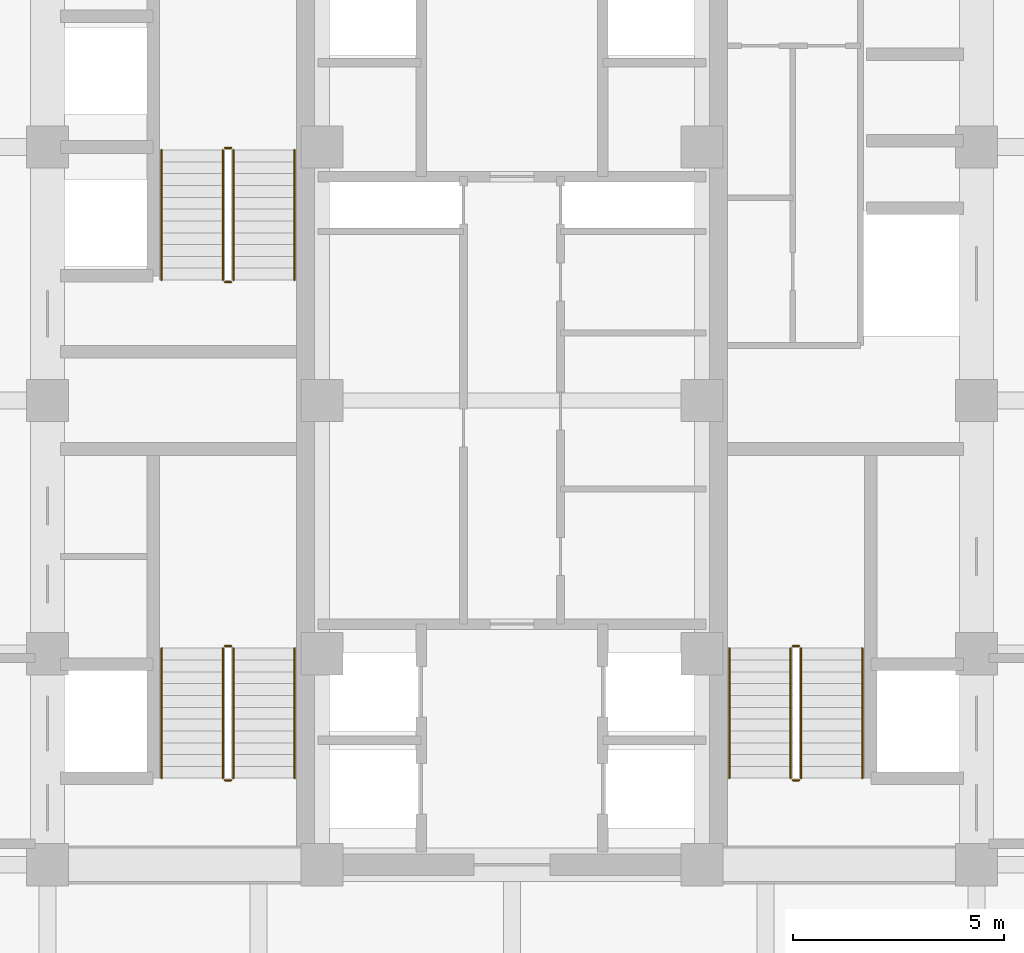
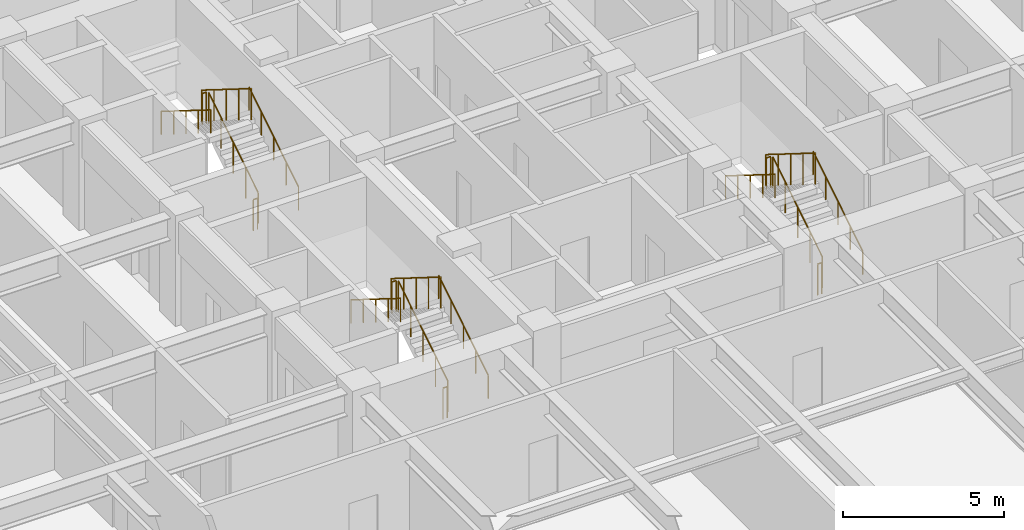
# One storey, part 27 of 27: 18 railings.
"""IFC4 building model written with IfcOpenShell, lengths in metres."""

from ifc_helpers import new_model, si_unit, direction, frame, origin, origin_2d, place, context, subcontext, project, spatial, circle, extrude, source, transform, mapped, material, type_object, element, save


model = new_model("IFC4")

# Units and contexts
model_context = context("Model", 3, precision=1e-05, world=origin(), true_north=direction((0.0, 1.0)))
body_context = subcontext(model_context, "Body", "Model", "MODEL_VIEW")
ifc_project = project(units=[si_unit("LENGTHUNIT", "METRE"), si_unit("AREAUNIT", "SQUARE_METRE"), si_unit("VOLUMEUNIT", "CUBIC_METRE"), si_unit("PLANEANGLEUNIT", "RADIAN"), si_unit("MASSUNIT", "GRAM", prefix="KILO")], contexts=[model_context])

# Site, building, storey
site_placement = place(None, origin())
site = spatial("IfcSite", under=ifc_project, at=site_placement, CompositionType="ELEMENT")
building_placement = place(site_placement, origin())
building = spatial("IfcBuilding", under=site, at=building_placement, Name="Khorayat Bourse Tower", CompositionType="ELEMENT")
storey_placement = place(building_placement, frame((0.0, 0.0, 53.60009765625)))
storey = spatial("IfcBuildingStorey", under=building, at=storey_placement, Name="L11", CompositionType="ELEMENT", Elevation=53.60009765625)

# Railings
ifc_material_1 = material(Name="Powder-coated steel balustrade", Category="steel")
railing_type_1 = type_object("IfcRailingType", Name="RLG-GUARD-1200", PredefinedType="GUARDRAIL", material=ifc_material_1)
shared_shape_1 = source(origin(), body_context, "Body", "SweptSolid", [
    extrude(circle(Radius=0.02392578125, at=origin_2d()), frame((0.0, 0.0, 1.17578125), z_axis=(-1.0, 0.0, 0.0), x_axis=(0.0, -1.0, 0.0)), (0.0, 0.0, 1.0), 0.150146484375),
    extrude(circle(Radius=0.02099609375, at=origin_2d()), origin(), (0.0, 0.0, 1.0), 1.15185546875),
    extrude(circle(Radius=0.02099609375, at=origin_2d()), frame((-0.150146484375, 0.0, 0.0)), (0.0, 0.0, 1.0), 1.15185546875),
])
for number, where, name in (
    (1, (-6.64990234375, -5.820068359375, 2.099853515625), "L11 ST-1 stair guard 2"),
    (2, (-6.64990234375, -9.0, 0.0), "L11 ST-1 stair guard 4"),
    (3, (-6.64990234375, 5.97998046875, 2.099853515625), "L11 ST-2 stair guard 2"),
    (4, (-6.64990234375, 2.800048828125, 0.0), "L11 ST-2 stair guard 4"),
    (5, (6.800048828125, -5.820068359375, 2.099853515625), "L11 ST-3 stair guard 2"),
    (6, (6.800048828125, -9.0, 0.0), "L11 ST-3 stair guard 4"),
):
    element("IfcRailing", number, at=place(storey_placement, frame(where)), inside=storey, type_object=railing_type_1, Name=name, PredefinedType="GUARDRAIL", context=body_context, shape_type="MappedRepresentation", body=[
        mapped(shared_shape_1, transform((0.0, 0.0, 0.0), scale=1.0)),
    ])
shared_shape_2 = source(origin(), body_context, "Body", "SweptSolid", [
    extrude(circle(Radius=0.02392578125, at=origin_2d()), frame((0.0, 0.0, 1.17578125), z_axis=(0.0, 0.847979421464, 0.530029150871), x_axis=(-1.0, 0.0, 0.0)), (0.0, 0.0, 1.0), 3.632080078125),
    extrude(circle(Radius=0.02099609375, at=origin_2d()), origin(), (0.0, 0.0, 1.0), 1.15185546875),
    extrude(circle(Radius=0.02099609375, at=origin_2d()), frame((0.0, 0.77001953125, 0.481201171875)), (0.0, 0.0, 1.0), 1.15185546875),
    extrude(circle(Radius=0.02099609375, at=origin_2d()), frame((0.0, 1.5400390625, 0.96240234375)), (0.0, 0.0, 1.0), 1.15185546875),
    extrude(circle(Radius=0.02099609375, at=origin_2d()), frame((0.0, 2.309814453125, 1.44384765625)), (0.0, 0.0, 1.0), 1.15185546875),
    extrude(circle(Radius=0.02099609375, at=origin_2d()), frame((0.0, 3.079833984375, 1.925048828125)), (0.0, 0.0, 1.0), 1.15185546875),
])
for number, where, name in (
    (7, (-6.60009765625, -8.949951171875, 0.1748046875), "L11 ST-1 stair guard 1"),
    (8, (-6.60009765625, 2.85009765625, 0.1748046875), "L11 ST-2 stair guard 1"),
    (9, (6.85009765625, -8.949951171875, 0.1748046875), "L11 ST-3 stair guard 1"),
):
    element("IfcRailing", number, at=place(storey_placement, frame(where)), inside=storey, type_object=railing_type_1, Name=name, PredefinedType="GUARDRAIL", context=body_context, shape_type="MappedRepresentation", body=[
        mapped(shared_shape_2, transform((0.0, 0.0, 0.0), scale=1.0)),
    ])
shared_shape_3 = source(origin(), body_context, "Body", "SweptSolid", [
    extrude(circle(Radius=0.02392578125, at=origin_2d()), frame((0.0, 0.0, 1.17578125), z_axis=(0.0, -0.847979421464, 0.530029150871), x_axis=(1.0, 0.0, 0.0)), (0.0, 0.0, 1.0), 3.632080078125),
    extrude(circle(Radius=0.02099609375, at=origin_2d()), origin(), (0.0, 0.0, 1.0), 1.15185546875),
    extrude(circle(Radius=0.02099609375, at=origin_2d()), frame((0.0, -0.77001953125, 0.481201171875)), (0.0, 0.0, 1.0), 1.15185546875),
    extrude(circle(Radius=0.02099609375, at=origin_2d()), frame((0.0, -1.5400390625, 0.96240234375)), (0.0, 0.0, 1.0), 1.15185546875),
    extrude(circle(Radius=0.02099609375, at=origin_2d()), frame((0.0, -2.309814453125, 1.44384765625)), (0.0, 0.0, 1.0), 1.15185546875),
    extrude(circle(Radius=0.02099609375, at=origin_2d()), frame((0.0, -3.079833984375, 1.925048828125)), (0.0, 0.0, 1.0), 1.15185546875),
])
for number, where, name in (
    (10, (-6.85009765625, -5.8701171875, 2.27490234375), "L11 ST-1 stair guard 3"),
    (11, (-6.85009765625, 5.929931640625, 2.27490234375), "L11 ST-2 stair guard 3"),
    (12, (6.60009765625, -5.8701171875, 2.27490234375), "L11 ST-3 stair guard 3"),
):
    element("IfcRailing", number, at=place(storey_placement, frame(where)), inside=storey, type_object=railing_type_1, Name=name, PredefinedType="GUARDRAIL", context=body_context, shape_type="MappedRepresentation", body=[
        mapped(shared_shape_3, transform((0.0, 0.0, 0.0), scale=1.0)),
    ])
ifc_material_2 = material(Name="Brushed bronze stainless-steel handrail", Category="steel")
railing_type_2 = type_object("IfcRailingType", Name="RLG-HAND-900", PredefinedType="HANDRAIL", material=ifc_material_2)
shared_shape_4 = source(origin(), body_context, "Body", "SweptSolid", [
    extrude(circle(Radius=0.02392578125, at=origin_2d()), frame((0.0, 0.0, 0.8759765625), z_axis=(0.0, 0.847979421464, 0.530029150871), x_axis=(-1.0, 0.0, 0.0)), (0.0, 0.0, 1.0), 3.632080078125),
    extrude(circle(Radius=0.02099609375, at=origin_2d()), origin(), (0.0, 0.0, 1.0), 0.851806640625),
    extrude(circle(Radius=0.02099609375, at=origin_2d()), frame((0.0, 0.77001953125, 0.481201171875)), (0.0, 0.0, 1.0), 0.851806640625),
    extrude(circle(Radius=0.02099609375, at=origin_2d()), frame((0.0, 1.5400390625, 0.96240234375)), (0.0, 0.0, 1.0), 0.851806640625),
    extrude(circle(Radius=0.02099609375, at=origin_2d()), frame((0.0, 2.309814453125, 1.44384765625)), (0.0, 0.0, 1.0), 0.851806640625),
    extrude(circle(Radius=0.02099609375, at=origin_2d()), frame((0.0, 3.079833984375, 1.925048828125)), (0.0, 0.0, 1.0), 0.851806640625),
])
for number, where, name in (
    (13, (-5.14990234375, -8.949951171875, 0.1748046875), "L11 ST-1 stair handrail 1"),
    (14, (-5.14990234375, 2.85009765625, 0.1748046875), "L11 ST-2 stair handrail 1"),
    (15, (8.300048828125, -8.949951171875, 0.1748046875), "L11 ST-3 stair handrail 1"),
):
    element("IfcRailing", number, at=place(storey_placement, frame(where)), inside=storey, type_object=railing_type_2, Name=name, PredefinedType="HANDRAIL", context=body_context, shape_type="MappedRepresentation", body=[
        mapped(shared_shape_4, transform((0.0, 0.0, 0.0), scale=1.0)),
    ])
shared_shape_5 = source(origin(), body_context, "Body", "SweptSolid", [
    extrude(circle(Radius=0.02392578125, at=origin_2d()), frame((0.0, 0.0, 0.8759765625), z_axis=(0.0, -0.847979421464, 0.530029150871), x_axis=(1.0, 0.0, 0.0)), (0.0, 0.0, 1.0), 3.632080078125),
    extrude(circle(Radius=0.02099609375, at=origin_2d()), origin(), (0.0, 0.0, 1.0), 0.851806640625),
    extrude(circle(Radius=0.02099609375, at=origin_2d()), frame((0.0, -0.77001953125, 0.481201171875)), (0.0, 0.0, 1.0), 0.851806640625),
    extrude(circle(Radius=0.02099609375, at=origin_2d()), frame((0.0, -1.5400390625, 0.96240234375)), (0.0, 0.0, 1.0), 0.851806640625),
    extrude(circle(Radius=0.02099609375, at=origin_2d()), frame((0.0, -2.309814453125, 1.44384765625)), (0.0, 0.0, 1.0), 0.851806640625),
    extrude(circle(Radius=0.02099609375, at=origin_2d()), frame((0.0, -3.079833984375, 1.925048828125)), (0.0, 0.0, 1.0), 0.851806640625),
])
for number, where, name in (
    (16, (-8.300048828125, -5.8701171875, 2.27490234375), "L11 ST-1 stair handrail 2"),
    (17, (-8.300048828125, 5.929931640625, 2.27490234375), "L11 ST-2 stair handrail 2"),
    (18, (5.14990234375, -5.8701171875, 2.27490234375), "L11 ST-3 stair handrail 2"),
):
    element("IfcRailing", number, at=place(storey_placement, frame(where)), inside=storey, type_object=railing_type_2, Name=name, PredefinedType="HANDRAIL", context=body_context, shape_type="MappedRepresentation", body=[
        mapped(shared_shape_5, transform((0.0, 0.0, 0.0), scale=1.0)),
    ])

save(model, "model.ifc")
